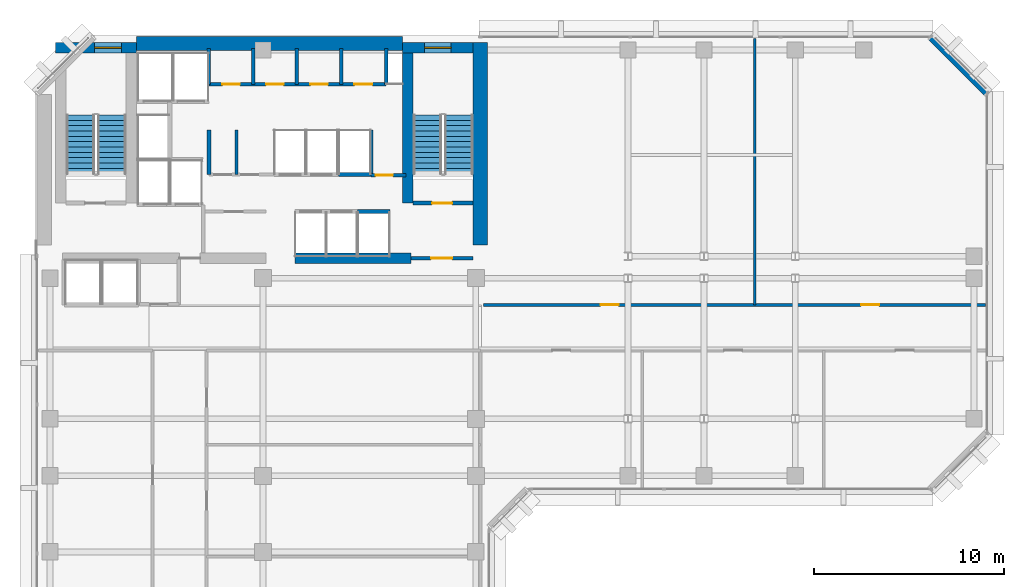
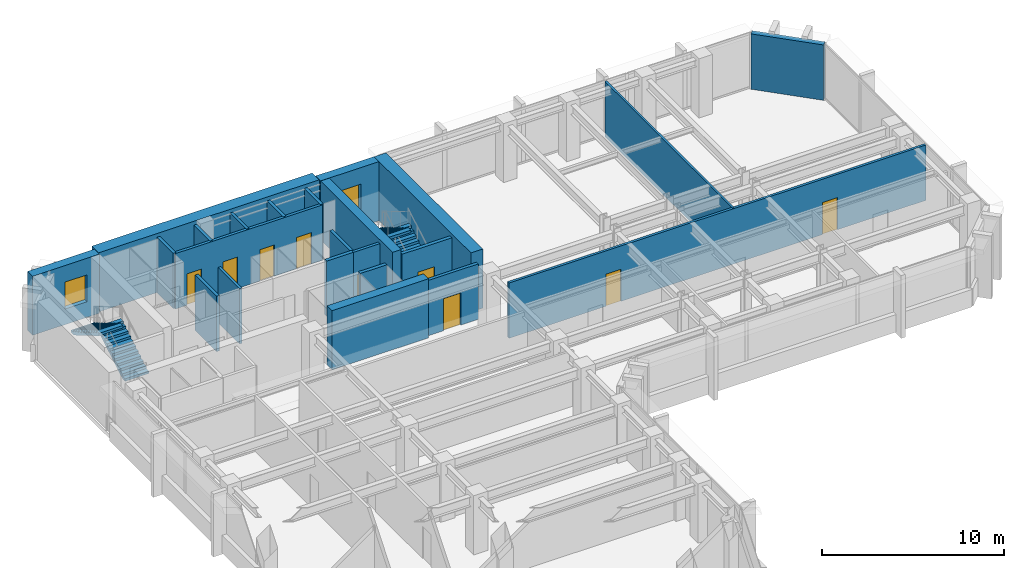
# One storey, part 8 of 11: 23 walls, 9 doors, 4 stair flights, 2 windows, 11 openings, 2 elements without a shape of their own.
"""IFC4 building model written with IfcOpenShell, lengths in metres."""

from ifc_helpers import new_model, si_unit, direction, frame, frame_2d, origin, place, context, subcontext, project, spatial, polyline, rectangle, outline, extrude, material, layer, layer_set, type_object, element, fill, aggregate, save


model = new_model("IFC4")

# Units and contexts
model_context = context("Model", 3, precision=1e-05, world=origin(), true_north=direction((0.0, 1.0)))
body_context = subcontext(model_context, "Body", "Model", "MODEL_VIEW")
ifc_project = project(units=[si_unit("LENGTHUNIT", "METRE"), si_unit("AREAUNIT", "SQUARE_METRE"), si_unit("VOLUMEUNIT", "CUBIC_METRE"), si_unit("PLANEANGLEUNIT", "RADIAN"), si_unit("MASSUNIT", "GRAM", prefix="KILO")], contexts=[model_context])

# Site, building, storey
site_placement = place(None, origin())
site = spatial("IfcSite", under=ifc_project, at=site_placement, CompositionType="ELEMENT")
building_placement = place(site_placement, origin())
building = spatial("IfcBuilding", under=site, at=building_placement, Name="Kefirva Bronze Tower", CompositionType="ELEMENT")
storey_placement = place(building_placement, frame((0.0, 0.0, 150.81005859375)))
storey = spatial("IfcBuildingStorey", under=building, at=storey_placement, Name="L36", CompositionType="ELEMENT", Elevation=150.81005859375)

# Wall
ifc_material_1 = material(Name="Gypsum acoustic partition")
ifc_layer_1 = layer(ifc_material_1, 0.1298828125, Name="Gypsum acoustic partition")
ifc_layer_set_1 = layer_set([ifc_layer_1], Name="Gypsum acoustic partition")
wall_type_1 = type_object("IfcWallType", Name="Acoustic Office Partition 130mm", PredefinedType="PARTITIONING", material=ifc_layer_set_1)
wall_1_placement = place(storey_placement, frame((37.861328125, 31.800048828125, 0.0), z_axis=(0.0, 0.0, 1.0), x_axis=(0.0, 1.0, 0.0)))
element("IfcWall", 1, at=wall_1_placement, inside=storey, type_object=wall_type_1, Name="L36 Partition W-L36-END1", PredefinedType="PARTITIONING", context=body_context, shape_type="SweptSolid", body=[
    extrude(rectangle(XDim=14.010009765625, YDim=0.1298828125, at=frame_2d((7.0048828125, 0.0))), origin(), (0.0, 0.0, 1.0), 3.7099609375),
])

# Wall, opening, door
ifc_material_2 = material(Name="Gypsum fireboard shaftwall")
ifc_layer_2 = layer(ifc_material_2, 0.219970703125, Name="Gypsum fireboard shaftwall")
ifc_layer_set_2 = layer_set([ifc_layer_2], Name="Gypsum fireboard shaftwall")
wall_type_2 = type_object("IfcWallType", Name="Fire-Rated Shaft Enclosure Wall 220mm", PredefinedType="PARTITIONING", material=ifc_layer_set_2)
wall_2_placement = place(storey_placement, frame((19.89990234375, 37.14990234375, 0.0), z_axis=(0.0, 0.0, 1.0), x_axis=(1.0, 0.0, 0.0)))
wall_2 = element("IfcWall", 2, at=wall_2_placement, inside=storey, type_object=wall_type_2, Name="L36 Partition W-L36-ST2S", PredefinedType="PARTITIONING", context=body_context, shape_type="SweptSolid", body=[
    extrude(rectangle(XDim=3.150146484375, YDim=0.219970703125, at=frame_2d((1.5751953125, 0.0))), origin(), (0.0, 0.0, 1.0), 3.7099609375),
])
opening_1_placement = place(wall_2_placement, frame((2.050048828125, 0.0, 0.0), z_axis=(0.0, 0.0, 1.0), x_axis=(-1.0, 0.0, 0.0)))
opening_1 = element("IfcOpeningElement", 3, at=opening_1_placement, cuts=wall_2, Name="Opening L36-D003", PredefinedType="OPENING", context=body_context, shape_type="SweptSolid", body=[
    extrude(rectangle(XDim=1.050048828125, YDim=2.14990234375, at=frame_2d((0.52490234375, 1.074951171875))), frame((0.0, 0.1201171875, 0.0), z_axis=(0.0, -1.0, 0.0), x_axis=(1.0, 0.0, 0.0)), (0.0, 0.0, 1.0), 0.239990234375),
])
ifc_material_3 = material(Name="Painted galvanized steel", Category="steel")
door_type_1 = type_object("IfcDoorType", Name="Fire Stair Enclosure Door 1050x2150 FD90S", OperationType="NOTDEFINED", PredefinedType="DOOR", material=ifc_material_3)
door_1_placement = place(opening_1_placement, origin())
door_1 = element("IfcDoor", 4, at=door_1_placement, inside=storey, type_object=door_type_1, Name="Door L36-D003", OperationType="SINGLE_SWING_RIGHT", OverallHeight=2.14990234375, OverallWidth=1.050048828125, PredefinedType="DOOR", context=body_context, shape_type="SweptSolid", body=[
    extrude(rectangle(XDim=1.050048828125, YDim=2.14990234375, at=frame_2d((0.52490234375, 1.074951171875))), frame((0.0, 0.02490234375, 0.0), z_axis=(0.0, -1.0, 0.0), x_axis=(1.0, 0.0, 0.0)), (0.0, 0.0, 1.0), 0.050048828125),
])
fill(opening_1, door_1)

# Walls
for number, where, z_axis, x_axis, name in (
    (5, (9.159912109375, 38.64990234375, 0.0), (0.0, 0.0, 1.0), (0.0, 1.0, 0.0), "L36 Partition W-L36-LP3W"),
    (6, (17.679931640625, 38.64990234375, 0.0), (0.0, 0.0, 1.0), (0.0, 1.0, 0.0), "L36 Partition W-L36-HP2E"),
):
    element("IfcWall", number, at=place(storey_placement, frame(where, z_axis=z_axis, x_axis=x_axis)), inside=storey, type_object=wall_type_2, Name=name, PredefinedType="PARTITIONING", context=body_context, shape_type="SweptSolid", body=[
        extrude(rectangle(XDim=2.35009765625, YDim=0.199951171875, at=frame_2d((1.175048828125, 0.0))), origin(), (0.0, 0.0, 1.0), 3.7099609375),
    ])
wall_3_placement = place(storey_placement, frame((16.97998046875, 36.699951171875, 0.0), z_axis=(0.0, 0.0, 1.0), x_axis=(1.0, 0.0, 0.0)))
element("IfcWall", 7, at=wall_3_placement, inside=storey, type_object=wall_type_2, Name="L36 Partition W-L36-HPS", PredefinedType="PARTITIONING", context=body_context, shape_type="SweptSolid", body=[
    extrude(rectangle(XDim=1.699951171875, YDim=0.219970703125, at=frame_2d((0.85009765625, 0.0))), origin(), (0.0, 0.0, 1.0), 3.7099609375),
])
wall_4_placement = place(storey_placement, frame((15.97998046875, 38.64990234375, 0.0), z_axis=(0.0, 0.0, 1.0), x_axis=(1.0, 0.0, 0.0)))
element("IfcWall", 8, at=wall_4_placement, inside=storey, type_object=wall_type_2, Name="L36 Partition W-L36-HPN", PredefinedType="PARTITIONING", context=body_context, shape_type="SweptSolid", body=[
    extrude(rectangle(XDim=1.719970703125, YDim=0.219970703125, at=frame_2d((0.85986328125, 0.0))), origin(), (0.0, 0.0, 1.0), 3.7099609375),
])

# Wall, opening, door
ifc_material_4 = material(Name="Gypsum fireboard barrier")
ifc_layer_3 = layer(ifc_material_4, 0.199951171875, Name="Gypsum fireboard barrier")
ifc_layer_set_3 = layer_set([ifc_layer_3], Name="Gypsum fireboard barrier")
wall_type_3 = type_object("IfcWallType", Name="Firefighting Lobby Barrier Wall 200mm", PredefinedType="PARTITIONING", material=ifc_layer_set_3)
wall_5_placement = place(storey_placement, frame((19.800048828125, 34.25, 0.0), z_axis=(0.0, 0.0, 1.0), x_axis=(1.0, 0.0, 0.0)))
wall_5 = element("IfcWall", 9, at=wall_5_placement, inside=storey, type_object=wall_type_3, Name="L36 Partition W-L36-ST2F", PredefinedType="PARTITIONING", context=body_context, shape_type="SweptSolid", body=[
    extrude(rectangle(XDim=3.25, YDim=0.199951171875, at=frame_2d((1.625, 0.0))), origin(), (0.0, 0.0, 1.0), 3.7099609375),
])
opening_2_placement = place(wall_5_placement, frame((2.150146484375, 0.0, 0.0), z_axis=(0.0, 0.0, 1.0), x_axis=(-1.0, 0.0, 0.0)))
opening_2 = element("IfcOpeningElement", 10, at=opening_2_placement, cuts=wall_5, Name="Opening L36-D004", PredefinedType="OPENING", context=body_context, shape_type="SweptSolid", body=[
    extrude(rectangle(XDim=1.10009765625, YDim=2.14990234375, at=frame_2d((0.550048828125, 1.074951171875))), frame((0.0, 0.10986328125, 0.0), z_axis=(0.0, -1.0, 0.0), x_axis=(1.0, 0.0, 0.0)), (0.0, 0.0, 1.0), 0.219970703125),
])
door_type_2 = type_object("IfcDoorType", Name="Firefighting Lobby Smoke Door 1100x2150 FD60S", OperationType="NOTDEFINED", PredefinedType="DOOR", material=ifc_material_3)
door_2_placement = place(opening_2_placement, origin())
door_2 = element("IfcDoor", 11, at=door_2_placement, inside=storey, type_object=door_type_2, Name="Door L36-D004", OperationType="SINGLE_SWING_LEFT", OverallHeight=2.14990234375, OverallWidth=1.10009765625, PredefinedType="DOOR", context=body_context, shape_type="SweptSolid", body=[
    extrude(rectangle(XDim=1.10009765625, YDim=2.14990234375, at=frame_2d((0.550048828125, 1.074951171875))), frame((0.0, 0.02490234375, 0.0), z_axis=(0.0, -1.0, 0.0), x_axis=(1.0, 0.0, 0.0)), (0.0, 0.0, 1.0), 0.050048828125),
])
fill(opening_2, door_2)

wall_6_placement = place(storey_placement, frame((17.679931640625, 38.6201171875, 0.0), z_axis=(0.0, 0.0, 1.0), x_axis=(1.0, 0.0, 0.0)))
wall_6 = element("IfcWall", 12, at=wall_6_placement, inside=storey, type_object=wall_type_3, Name="L36 Partition W-L36-CPASS", PredefinedType="PARTITIONING", context=body_context, shape_type="SweptSolid", body=[
    extrude(rectangle(XDim=1.840087890625, YDim=0.179931640625, at=frame_2d((0.919921875, 0.0))), origin(), (0.0, 0.0, 1.0), 3.7099609375),
])
opening_3_placement = place(wall_6_placement, frame((0.239990234375, 0.0, 0.0)))
opening_3 = element("IfcOpeningElement", 13, at=opening_3_placement, cuts=wall_6, Name="Opening L36-D-CPAS", PredefinedType="OPENING", context=body_context, shape_type="SweptSolid", body=[
    extrude(rectangle(XDim=0.919921875, YDim=2.10009765625, at=frame_2d((0.4599609375, 1.050048828125))), frame((0.0, 0.10009765625, 0.0), z_axis=(0.0, -1.0, 0.0), x_axis=(1.0, 0.0, 0.0)), (0.0, 0.0, 1.0), 0.199951171875),
])
ifc_material_5 = material(Name="Moisture-resistant timber", Category="wood")
door_type_3 = type_object("IfcDoorType", Name="Accessible Sanitary & WC Door 920x2100", OperationType="NOTDEFINED", PredefinedType="DOOR", material=ifc_material_5)
door_3_placement = place(opening_3_placement, origin())
door_3 = element("IfcDoor", 14, at=door_3_placement, inside=storey, type_object=door_type_3, Name="Door L36-D-CPAS", OperationType="SINGLE_SWING_RIGHT", OverallHeight=2.10009765625, OverallWidth=0.919921875, PredefinedType="DOOR", context=body_context, shape_type="SweptSolid", body=[
    extrude(rectangle(XDim=0.919921875, YDim=2.10009765625, at=frame_2d((0.4599609375, 1.050048828125))), frame((0.0, 0.02490234375, 0.0), z_axis=(0.0, -1.0, 0.0), x_axis=(1.0, 0.0, 0.0)), (0.0, 0.0, 1.0), 0.050048828125),
])
fill(opening_3, door_3)

# Walls
ifc_material_6 = material(Name="Precast concrete C40/50", Category="concrete")
ifc_layer_4 = layer(ifc_material_6, 0.320068359375, Name="Precast concrete C40/50")
ifc_layer_set_4 = layer_set([ifc_layer_4], Name="Precast concrete C40/50")
wall_type_4 = type_object("IfcWallType", Name="Precast Insulated Exterior Wall 320mm", PredefinedType="SOLIDWALL", material=ifc_layer_set_4)
wall_7_placement = place(storey_placement, frame((50.048095703125, 42.92578125, 0.0), z_axis=(0.0, 0.0, 1.0), x_axis=(-0.707136318428, 0.707077242712, 0.0)))
element("IfcWall", 15, at=wall_7_placement, inside=storey, type_object=wall_type_4, Name="L36 Exterior Facade Wall 4", PredefinedType="SOLIDWALL", context=body_context, shape_type="SweptSolid", body=[
    extrude(rectangle(XDim=4.132568359375, YDim=0.320068359375, at=frame_2d((2.06640625, 0.0))), origin(), (0.0, 0.0, 1.0), 3.7099609375),
])
ifc_layer_5 = layer(ifc_material_1, 0.159912109375, Name="Gypsum acoustic partition")
ifc_layer_set_5 = layer_set([ifc_layer_5], Name="Gypsum acoustic partition")
wall_type_5 = type_object("IfcWallType", Name="Protected Corridor Partition 160mm", PredefinedType="PARTITIONING", material=ifc_layer_set_5)
wall_8_placement = place(storey_placement, frame((10.60009765625, 38.64990234375, 0.0), z_axis=(0.0, 0.0, 1.0), x_axis=(0.0, 1.0, 0.0)))
element("IfcWall", 16, at=wall_8_placement, inside=storey, type_object=wall_type_5, Name="L36 Partition W-L36-RECLP2D", PredefinedType="PARTITIONING", context=body_context, shape_type="SweptSolid", body=[
    extrude(rectangle(XDim=2.35009765625, YDim=0.159912109375, at=frame_2d((1.175048828125, 0.0))), origin(), (0.0, 0.0, 1.0), 3.7099609375),
])

# Wall, openings, doors
wall_9_placement = place(storey_placement, frame((23.60009765625, 31.800048828125, 0.0), z_axis=(0.0, 0.0, 1.0), x_axis=(1.0, 0.0, 0.0)))
wall_9 = element("IfcWall", 17, at=wall_9_placement, inside=storey, type_object=wall_type_5, Name="L36 Partition W-L36-EWN", PredefinedType="PARTITIONING", context=body_context, shape_type="SweptSolid", body=[
    extrude(rectangle(XDim=26.409912109375, YDim=0.159912109375, at=frame_2d((13.205078125, 0.0))), origin(), (0.0, 0.0, 1.0), 3.7099609375),
])
opening_4_placement = place(wall_9_placement, frame((6.15576171875, 0.0, 0.0)))
opening_4 = element("IfcOpeningElement", 18, at=opening_4_placement, cuts=wall_9, Name="Opening L36-D-EN1", PredefinedType="OPENING", context=body_context, shape_type="SweptSolid", body=[
    extrude(rectangle(XDim=0.949951171875, YDim=2.14990234375, at=frame_2d((0.47509765625, 1.074951171875))), frame((0.0, 0.08984375, 0.0), z_axis=(0.0, -1.0, 0.0), x_axis=(1.0, 0.0, 0.0)), (0.0, 0.0, 1.0), 0.179931640625),
])
opening_5_placement = place(wall_9_placement, frame((19.860595703125, 0.0, 0.0)))
opening_5 = element("IfcOpeningElement", 19, at=opening_5_placement, cuts=wall_9, Name="Opening L36-D-EN2", PredefinedType="OPENING", context=body_context, shape_type="SweptSolid", body=[
    extrude(rectangle(XDim=0.949951171875, YDim=2.14990234375, at=frame_2d((0.47509765625, 1.074951171875))), frame((0.0, 0.08984375, 0.0), z_axis=(0.0, -1.0, 0.0), x_axis=(1.0, 0.0, 0.0)), (0.0, 0.0, 1.0), 0.179931640625),
])
ifc_material_7 = material(Name="Acoustic hardwood oak", Category="wood")
door_type_4 = type_object("IfcDoorType", Name="Office & Meeting Room Door 950x2150", OperationType="NOTDEFINED", PredefinedType="DOOR", material=ifc_material_7)
door_4_placement = place(opening_4_placement, origin())
door_4 = element("IfcDoor", 20, at=door_4_placement, inside=storey, type_object=door_type_4, Name="Door L36-D-EN1", OperationType="SINGLE_SWING_RIGHT", OverallHeight=2.14990234375, OverallWidth=0.949951171875, PredefinedType="DOOR", context=body_context, shape_type="SweptSolid", body=[
    extrude(rectangle(XDim=0.949951171875, YDim=2.14990234375, at=frame_2d((0.47509765625, 1.074951171875))), frame((0.0, 0.02490234375, 0.0), z_axis=(0.0, -1.0, 0.0), x_axis=(1.0, 0.0, 0.0)), (0.0, 0.0, 1.0), 0.050048828125),
])
fill(opening_4, door_4)
door_5_placement = place(opening_5_placement, origin())
door_5 = element("IfcDoor", 21, at=door_5_placement, inside=storey, type_object=door_type_4, Name="Door L36-D-EN2", OperationType="SINGLE_SWING_LEFT", OverallHeight=2.14990234375, OverallWidth=0.949951171875, PredefinedType="DOOR", context=body_context, shape_type="SweptSolid", body=[
    extrude(rectangle(XDim=0.949951171875, YDim=2.14990234375, at=frame_2d((0.47509765625, 1.074951171875))), frame((0.0, 0.02490234375, 0.0), z_axis=(0.0, -1.0, 0.0), x_axis=(1.0, 0.0, 0.0)), (0.0, 0.0, 1.0), 0.050048828125),
])
fill(opening_5, door_5)

# Wall, opening, window
ifc_material_8 = material(Name="Concrete C50/60", Category="concrete")
ifc_layer_6 = layer(ifc_material_8, 0.550048828125, Name="Concrete C50/60")
ifc_layer_set_6 = layer_set([ifc_layer_6], Name="Concrete C50/60")
wall_type_6 = type_object("IfcWallType", Name="RC Rear Core Exterior Wall 550mm", PredefinedType="SHEAR", material=ifc_layer_set_6)
wall_10_placement = place(storey_placement, frame((1.10009765625, 45.320068359375, 0.0), z_axis=(0.0, 0.0, 1.0), x_axis=(1.0, 0.0, 0.0)))
wall_10 = element("IfcWall", 22, at=wall_10_placement, inside=storey, type_object=wall_type_6, Name="L36 Stair 1 North Shear Wall", PredefinedType="SHEAR", context=body_context, shape_type="SweptSolid", body=[
    extrude(rectangle(XDim=4.239990234375, YDim=0.550048828125, at=frame_2d((2.1201171875, 0.0))), origin(), (0.0, 0.0, 1.0), 3.9599609375),
])
opening_6_placement = place(wall_10_placement, frame((2.050048828125, 0.0, 1.050048828125)))
opening_6 = element("IfcOpeningElement", 23, at=opening_6_placement, cuts=wall_10, Name="Opening WN-03", PredefinedType="OPENING", context=body_context, shape_type="SweptSolid", body=[
    extrude(rectangle(XDim=1.39990234375, YDim=1.800048828125, at=frame_2d((0.699951171875, 0.89990234375))), frame((0.0, 0.28515625, 0.0), z_axis=(0.0, -1.0, 0.0), x_axis=(1.0, 0.0, 0.0)), (0.0, 0.0, 1.0), 0.570068359375),
])
ifc_material_9 = material(Name="Laminated low-E double glazing", Category="glass")
window_type = type_object("IfcWindowType", Name="Rear-Core Stair Daylight Window 1400x1800", PartitioningType="SINGLE_PANEL", PredefinedType="WINDOW", material=ifc_material_9)
window_1_placement = place(opening_6_placement, origin())
window_1 = element("IfcWindow", 24, at=window_1_placement, inside=storey, type_object=window_type, Name="L36 Stair 1 Daylight Window", OverallHeight=1.800048828125, OverallWidth=1.39990234375, PartitioningType="SINGLE_PANEL", PredefinedType="WINDOW", context=body_context, shape_type="SweptSolid", body=[
    extrude(rectangle(XDim=1.39990234375, YDim=1.800048828125, at=frame_2d((0.699951171875, 0.89990234375))), frame((0.0, 0.030029296875, 0.0), z_axis=(0.0, -1.0, 0.0), x_axis=(1.0, 0.0, 0.0)), (0.0, 0.0, 1.0), 0.06005859375),
])
fill(opening_6, window_1)

wall_11_placement = place(storey_placement, frame((19.35009765625, 45.320068359375, 0.0), z_axis=(0.0, 0.0, 1.0), x_axis=(1.0, 0.0, 0.0)))
wall_11 = element("IfcWall", 25, at=wall_11_placement, inside=storey, type_object=wall_type_6, Name="L36 Stair 2 North Shear Wall", PredefinedType="SHEAR", context=body_context, shape_type="SweptSolid", body=[
    extrude(rectangle(XDim=3.68994140625, YDim=0.550048828125, at=frame_2d((1.844970703125, 0.0))), origin(), (0.0, 0.0, 1.0), 3.9599609375),
])
opening_7_placement = place(wall_11_placement, frame((1.14990234375, 0.0, 1.050048828125)))
opening_7 = element("IfcOpeningElement", 26, at=opening_7_placement, cuts=wall_11, Name="Opening WN-03", PredefinedType="OPENING", context=body_context, shape_type="SweptSolid", body=[
    extrude(rectangle(XDim=1.39990234375, YDim=1.800048828125, at=frame_2d((0.699951171875, 0.89990234375))), frame((0.0, 0.28515625, 0.0), z_axis=(0.0, -1.0, 0.0), x_axis=(1.0, 0.0, 0.0)), (0.0, 0.0, 1.0), 0.570068359375),
])
window_2_placement = place(opening_7_placement, origin())
window_2 = element("IfcWindow", 27, at=window_2_placement, inside=storey, type_object=window_type, Name="L36 Stair 2 Daylight Window", OverallHeight=1.800048828125, OverallWidth=1.39990234375, PartitioningType="SINGLE_PANEL", PredefinedType="WINDOW", context=body_context, shape_type="SweptSolid", body=[
    extrude(rectangle(XDim=1.39990234375, YDim=1.800048828125, at=frame_2d((0.699951171875, 0.89990234375))), frame((0.0, 0.030029296875, 0.0), z_axis=(0.0, -1.0, 0.0), x_axis=(1.0, 0.0, 0.0)), (0.0, 0.0, 1.0), 0.06005859375),
])
fill(opening_7, window_2)

# Walls
ifc_material_10 = material(Name="Concrete C60/75", Category="concrete")
ifc_layer_7 = layer(ifc_material_10, 0.75, Name="Concrete C60/75")
ifc_layer_set_7 = layer_set([ifc_layer_7], Name="Concrete C60/75")
wall_type_7 = type_object("IfcWallType", Name="RC Rear Core Exterior Wall 750mm", PredefinedType="SHEAR", material=ifc_layer_set_7)
wall_12_placement = place(storey_placement, frame((5.360107421875, 45.550048828125, 0.0), z_axis=(0.0, 0.0, 1.0), x_axis=(1.0, 0.0, 0.0)))
element("IfcWall", 28, at=wall_12_placement, inside=storey, type_object=wall_type_7, Name="L36 Rear Core North Shear Wall", PredefinedType="SHEAR", context=body_context, shape_type="SweptSolid", body=[
    extrude(rectangle(XDim=13.97998046875, YDim=0.75, at=frame_2d((6.989990234375, 0.0))), origin(), (0.0, 0.0, 1.0), 3.9599609375),
])
ifc_layer_8 = layer(ifc_material_8, 0.550048828125, Name="Concrete C50/60")
ifc_layer_set_8 = layer_set([ifc_layer_8], Name="Concrete C50/60")
wall_type_8 = type_object("IfcWallType", Name="RC Rear Core Interior Wall 550mm", PredefinedType="SHEAR", material=ifc_layer_set_8)
wall_13_placement = place(storey_placement, frame((19.6201171875, 37.14990234375, 0.0), z_axis=(0.0, 0.0, 1.0), x_axis=(0.0, 1.0, 0.0)))
element("IfcWall", 29, at=wall_13_placement, inside=storey, type_object=wall_type_8, Name="L36 Stair 2 West Shear Wall", PredefinedType="SHEAR", context=body_context, shape_type="SweptSolid", body=[
    extrude(rectangle(XDim=7.89013671875, YDim=0.550048828125, at=frame_2d((3.945068359375, 0.0))), origin(), (0.0, 0.0, 1.0), 3.9599609375),
])
ifc_layer_9 = layer(ifc_material_10, 0.75, Name="Concrete C60/75")
ifc_layer_set_9 = layer_set([ifc_layer_9], Name="Concrete C60/75")
wall_type_9 = type_object("IfcWallType", Name="RC Rear Core Interior Wall 750mm", PredefinedType="SHEAR", material=ifc_layer_set_9)
wall_14_placement = place(storey_placement, frame((23.425048828125, 34.949951171875, 0.0), z_axis=(0.0, 0.0, 1.0), x_axis=(0.0, 1.0, 0.0)))
element("IfcWall", 30, at=wall_14_placement, inside=storey, type_object=wall_type_9, Name="L36 Rear Core East Shear Wall", PredefinedType="SHEAR", context=body_context, shape_type="SweptSolid", body=[
    extrude(rectangle(XDim=10.64013671875, YDim=0.75, at=frame_2d((5.320068359375, 0.0))), origin(), (0.0, 0.0, 1.0), 3.9599609375),
])
wall_15_placement = place(storey_placement, frame((13.679931640625, 34.25, 0.0), z_axis=(0.0, 0.0, 1.0), x_axis=(1.0, 0.0, 0.0)))
element("IfcWall", 31, at=wall_15_placement, inside=storey, type_object=wall_type_9, Name="L36 Rear Core South-East Shear Wall", PredefinedType="SHEAR", context=body_context, shape_type="SweptSolid", body=[
    extrude(rectangle(XDim=6.1201171875, YDim=0.550048828125, at=frame_2d((3.06005859375, 0.0))), origin(), (0.0, 0.0, 1.0), 3.9599609375),
])

# Wall, openings, doors
ifc_material_11 = material(Name="Moisture-resistant partition")
ifc_layer_10 = layer(ifc_material_11, 0.179931640625, Name="Moisture-resistant partition")
ifc_layer_set_10 = layer_set([ifc_layer_10], Name="Moisture-resistant partition")
wall_type_10 = type_object("IfcWallType", Name="Sanitary Plumbing Chase Wall 180mm", PredefinedType="PLUMBINGWALL", material=ifc_layer_set_10)
wall_16_placement = place(storey_placement, frame((9.14990234375, 43.39990234375, 0.0), z_axis=(0.0, 0.0, 1.0), x_axis=(1.0, 0.0, 0.0)))
wall_16 = element("IfcWall", 32, at=wall_16_placement, inside=storey, type_object=wall_type_10, Name="L36 Partition W-L36-SVCS", PredefinedType="PLUMBINGWALL", context=body_context, shape_type="SweptSolid", body=[
    extrude(rectangle(XDim=9.330078125, YDim=0.179931640625, at=frame_2d((4.6650390625, 0.0))), origin(), (0.0, 0.0, 1.0), 3.7099609375),
])
opening_8_placement = place(wall_16_placement, frame((0.719970703125, 0.0, 0.0)))
opening_8 = element("IfcOpeningElement", 33, at=opening_8_placement, cuts=wall_16, Name="Opening L36-D-CSVC1", PredefinedType="OPENING", context=body_context, shape_type="SweptSolid", body=[
    extrude(rectangle(XDim=0.919921875, YDim=2.10009765625, at=frame_2d((0.4599609375, 1.050048828125))), frame((0.0, 0.10009765625, 0.0), z_axis=(0.0, -1.0, 0.0), x_axis=(1.0, 0.0, 0.0)), (0.0, 0.0, 1.0), 0.199951171875),
])
opening_9_placement = place(wall_16_placement, frame((3.02001953125, 0.0, 0.0)))
opening_9 = element("IfcOpeningElement", 34, at=opening_9_placement, cuts=wall_16, Name="Opening L36-D-CSVC2", PredefinedType="OPENING", context=body_context, shape_type="SweptSolid", body=[
    extrude(rectangle(XDim=0.919921875, YDim=2.10009765625, at=frame_2d((0.4599609375, 1.050048828125))), frame((0.0, 0.10009765625, 0.0), z_axis=(0.0, -1.0, 0.0), x_axis=(1.0, 0.0, 0.0)), (0.0, 0.0, 1.0), 0.199951171875),
])
opening_10_placement = place(wall_16_placement, frame((5.340087890625, 0.0, 0.0)))
opening_10 = element("IfcOpeningElement", 35, at=opening_10_placement, cuts=wall_16, Name="Opening L36-D-CSVC3", PredefinedType="OPENING", context=body_context, shape_type="SweptSolid", body=[
    extrude(rectangle(XDim=0.919921875, YDim=2.10009765625, at=frame_2d((0.4599609375, 1.050048828125))), frame((0.0, 0.10009765625, 0.0), z_axis=(0.0, -1.0, 0.0), x_axis=(1.0, 0.0, 0.0)), (0.0, 0.0, 1.0), 0.199951171875),
])
opening_11_placement = place(wall_16_placement, frame((7.659912109375, 0.0, 0.0)))
opening_11 = element("IfcOpeningElement", 36, at=opening_11_placement, cuts=wall_16, Name="Opening L36-D-CSVC4", PredefinedType="OPENING", context=body_context, shape_type="SweptSolid", body=[
    extrude(rectangle(XDim=0.949951171875, YDim=2.10009765625, at=frame_2d((0.47509765625, 1.050048828125))), frame((0.0, 0.10009765625, 0.0), z_axis=(0.0, -1.0, 0.0), x_axis=(1.0, 0.0, 0.0)), (0.0, 0.0, 1.0), 0.199951171875),
])
door_6_placement = place(opening_8_placement, origin())
door_6 = element("IfcDoor", 37, at=door_6_placement, inside=storey, type_object=door_type_3, Name="Door L36-D-CSVC1", OperationType="SINGLE_SWING_LEFT", OverallHeight=2.10009765625, OverallWidth=0.919921875, PredefinedType="DOOR", context=body_context, shape_type="SweptSolid", body=[
    extrude(rectangle(XDim=0.919921875, YDim=2.10009765625, at=frame_2d((0.4599609375, 1.050048828125))), frame((0.0, 0.02490234375, 0.0), z_axis=(0.0, -1.0, 0.0), x_axis=(1.0, 0.0, 0.0)), (0.0, 0.0, 1.0), 0.050048828125),
])
fill(opening_8, door_6)
door_7_placement = place(opening_9_placement, origin())
door_7 = element("IfcDoor", 38, at=door_7_placement, inside=storey, type_object=door_type_3, Name="Door L36-D-CSVC2", OperationType="SINGLE_SWING_RIGHT", OverallHeight=2.10009765625, OverallWidth=0.919921875, PredefinedType="DOOR", context=body_context, shape_type="SweptSolid", body=[
    extrude(rectangle(XDim=0.919921875, YDim=2.10009765625, at=frame_2d((0.4599609375, 1.050048828125))), frame((0.0, 0.02490234375, 0.0), z_axis=(0.0, -1.0, 0.0), x_axis=(1.0, 0.0, 0.0)), (0.0, 0.0, 1.0), 0.050048828125),
])
fill(opening_9, door_7)
door_8_placement = place(opening_10_placement, origin())
door_8 = element("IfcDoor", 39, at=door_8_placement, inside=storey, type_object=door_type_3, Name="Door L36-D-CSVC3", OperationType="SINGLE_SWING_LEFT", OverallHeight=2.10009765625, OverallWidth=0.919921875, PredefinedType="DOOR", context=body_context, shape_type="SweptSolid", body=[
    extrude(rectangle(XDim=0.919921875, YDim=2.10009765625, at=frame_2d((0.4599609375, 1.050048828125))), frame((0.0, 0.02490234375, 0.0), z_axis=(0.0, -1.0, 0.0), x_axis=(1.0, 0.0, 0.0)), (0.0, 0.0, 1.0), 0.050048828125),
])
fill(opening_10, door_8)
door_type_5 = type_object("IfcDoorType", Name="Riser & Plant Shaft Fire Door 950x2100 FD60S", OperationType="NOTDEFINED", PredefinedType="DOOR", material=ifc_material_3)
door_9_placement = place(opening_11_placement, origin())
door_9 = element("IfcDoor", 40, at=door_9_placement, inside=storey, type_object=door_type_5, Name="Door L36-D-CSVC4", OperationType="SINGLE_SWING_RIGHT", OverallHeight=2.10009765625, OverallWidth=0.949951171875, PredefinedType="DOOR", context=body_context, shape_type="SweptSolid", body=[
    extrude(rectangle(XDim=0.949951171875, YDim=2.10009765625, at=frame_2d((0.47509765625, 1.050048828125))), frame((0.0, 0.02490234375, 0.0), z_axis=(0.0, -1.0, 0.0), x_axis=(1.0, 0.0, 0.0)), (0.0, 0.0, 1.0), 0.050048828125),
])
fill(opening_11, door_9)

# Walls
for number, where, z_axis, x_axis, name in (
    (41, (9.14990234375, 43.39990234375, 0.0), (0.0, 0.0, 1.0), (0.0, 1.0, 0.0), "L36 Partition W-L36-SVCW"),
    (42, (18.47998046875, 43.39990234375, 0.0), (0.0, 0.0, 1.0), (0.0, 1.0, 0.0), "L36 Partition W-L36-SVCE"),
    (43, (11.47998046875, 43.39990234375, 0.0), (0.0, 0.0, 1.0), (0.0, 1.0, 0.0), "L36 Partition W-L36-CSVD-1"),
    (44, (13.780029296875, 43.39990234375, 0.0), (0.0, 0.0, 1.0), (0.0, 1.0, 0.0), "L36 Partition W-L36-CSVD-2"),
    (45, (16.1201171875, 43.39990234375, 0.0), (0.0, 0.0, 1.0), (0.0, 1.0, 0.0), "L36 Partition W-L36-CSVD-3"),
):
    element("IfcWall", number, at=place(storey_placement, frame(where, z_axis=z_axis, x_axis=x_axis)), inside=storey, type_object=wall_type_10, Name=name, PredefinedType="PLUMBINGWALL", context=body_context, shape_type="SweptSolid", body=[
        extrude(rectangle(XDim=1.880126953125, YDim=0.179931640625, at=frame_2d((0.93994140625, 0.0))), origin(), (0.0, 0.0, 1.0), 3.7099609375),
    ])

# Stair, stair flights
ifc_material_12 = material(Name="Concrete C40/50", Category="concrete")
stair_type = type_object("IfcStairType", Name="RC Dogleg Protected Stair 24R", PredefinedType="HALF_TURN_STAIR", material=ifc_material_12)
stair_1_placement = place(storey_placement, origin())
stair_1 = element("IfcStair", 46, at=stair_1_placement, inside=storey, type_object=stair_type, Name="L36 Protected Exit Stair 1", PredefinedType="HALF_TURN_STAIR")
stair_flight_type = type_object("IfcStairFlightType", Name="RC Straight Stair Flight 24R", PredefinedType="STRAIGHT", material=ifc_material_12)
stair_flight_1_placement = place(storey_placement, frame((4.050048828125, 38.699951171875, 0.0), z_axis=(0.0, 0.0, 1.0), x_axis=(0.0, 1.0, 0.0)))
stair_flight_1 = element("IfcStairFlight", 47, at=stair_flight_1_placement, type_object=stair_flight_type, Name="ST-1 flight 1", NumberOfRisers=12, NumberOfTreads=11, PredefinedType="STRAIGHT", RiserHeight=0.165, TreadLength=0.28, context=body_context, shape_type="SweptSolid", body=[
    extrude(outline(polyline([(0.0, 0.0), (0.0, 0.1650390625), (0.280029296875, 0.1650390625), (0.280029296875, 0.330078125), (0.56005859375, 0.330078125), (0.56005859375, 0.4951171875), (0.840087890625, 0.4951171875), (0.840087890625, 0.659912109375), (1.1201171875, 0.659912109375), (1.1201171875, 0.824951171875), (1.39990234375, 0.824951171875), (1.39990234375, 0.989990234375), (1.679931640625, 0.989990234375), (1.679931640625, 1.155029296875), (1.9599609375, 1.155029296875), (1.9599609375, 1.320068359375), (2.239990234375, 1.320068359375), (2.239990234375, 1.485107421875), (2.52001953125, 1.485107421875), (2.52001953125, 1.64990234375), (2.800048828125, 1.64990234375), (2.800048828125, 1.81494140625), (3.080078125, 1.81494140625), (3.080078125, 1.97998046875), (3.080078125, 1.64111328125), (0.295166015625, 0.0), (0.0, 0.0)])), frame((0.0, 0.75, 0.0), z_axis=(0.0, -1.0, 0.0), x_axis=(1.0, 0.0, 0.0)), (0.0, 0.0, 1.0), 1.5),
])
stair_flight_2_placement = place(storey_placement, frame((2.39990234375, 41.780029296875, 1.97998046875), z_axis=(0.0, 0.0, 1.0), x_axis=(0.0, -1.0, 0.0)))
stair_flight_2 = element("IfcStairFlight", 48, at=stair_flight_2_placement, type_object=stair_flight_type, Name="ST-1 flight 2", NumberOfRisers=12, NumberOfTreads=11, PredefinedType="STRAIGHT", RiserHeight=0.165, TreadLength=0.28, context=body_context, shape_type="SweptSolid", body=[
    extrude(outline(polyline([(0.0, 0.0), (0.0, 0.1650390625), (0.280029296875, 0.1650390625), (0.280029296875, 0.330078125), (0.56005859375, 0.330078125), (0.56005859375, 0.4951171875), (0.840087890625, 0.4951171875), (0.840087890625, 0.659912109375), (1.1201171875, 0.659912109375), (1.1201171875, 0.824951171875), (1.39990234375, 0.824951171875), (1.39990234375, 0.989990234375), (1.679931640625, 0.989990234375), (1.679931640625, 1.155029296875), (1.9599609375, 1.155029296875), (1.9599609375, 1.320068359375), (2.239990234375, 1.320068359375), (2.239990234375, 1.485107421875), (2.52001953125, 1.485107421875), (2.52001953125, 1.64990234375), (2.800048828125, 1.64990234375), (2.800048828125, 1.81494140625), (3.080078125, 1.81494140625), (3.080078125, 1.97998046875), (3.080078125, 1.64111328125), (0.295166015625, 0.0), (0.0, 0.0)])), frame((0.0, 0.75, 0.0), z_axis=(0.0, -1.0, 0.0), x_axis=(1.0, 0.0, 0.0)), (0.0, 0.0, 1.0), 1.5),
])
aggregate(stair_1, [stair_flight_1, stair_flight_2])

stair_2_placement = place(storey_placement, origin())
stair_2 = element("IfcStair", 49, at=stair_2_placement, inside=storey, type_object=stair_type, Name="L36 Protected Exit Stair 2", PredefinedType="HALF_TURN_STAIR")
stair_flight_3_placement = place(storey_placement, frame((22.300048828125, 38.699951171875, 0.0), z_axis=(0.0, 0.0, 1.0), x_axis=(0.0, 1.0, 0.0)))
stair_flight_3 = element("IfcStairFlight", 50, at=stair_flight_3_placement, type_object=stair_flight_type, Name="ST-2 flight 1", NumberOfRisers=12, NumberOfTreads=11, PredefinedType="STRAIGHT", RiserHeight=0.165, TreadLength=0.28, context=body_context, shape_type="SweptSolid", body=[
    extrude(outline(polyline([(0.0, 0.0), (0.0, 0.1650390625), (0.280029296875, 0.1650390625), (0.280029296875, 0.330078125), (0.56005859375, 0.330078125), (0.56005859375, 0.4951171875), (0.840087890625, 0.4951171875), (0.840087890625, 0.659912109375), (1.1201171875, 0.659912109375), (1.1201171875, 0.824951171875), (1.39990234375, 0.824951171875), (1.39990234375, 0.989990234375), (1.679931640625, 0.989990234375), (1.679931640625, 1.155029296875), (1.9599609375, 1.155029296875), (1.9599609375, 1.320068359375), (2.239990234375, 1.320068359375), (2.239990234375, 1.485107421875), (2.52001953125, 1.485107421875), (2.52001953125, 1.64990234375), (2.800048828125, 1.64990234375), (2.800048828125, 1.81494140625), (3.080078125, 1.81494140625), (3.080078125, 1.97998046875), (3.080078125, 1.64111328125), (0.295166015625, 0.0), (0.0, 0.0)])), frame((0.0, 0.75, 0.0), z_axis=(0.0, -1.0, 0.0), x_axis=(1.0, 0.0, 0.0)), (0.0, 0.0, 1.0), 1.5),
])
stair_flight_4_placement = place(storey_placement, frame((20.64990234375, 41.780029296875, 1.97998046875), z_axis=(0.0, 0.0, 1.0), x_axis=(0.0, -1.0, 0.0)))
stair_flight_4 = element("IfcStairFlight", 51, at=stair_flight_4_placement, type_object=stair_flight_type, Name="ST-2 flight 2", NumberOfRisers=12, NumberOfTreads=11, PredefinedType="STRAIGHT", RiserHeight=0.165, TreadLength=0.28, context=body_context, shape_type="SweptSolid", body=[
    extrude(outline(polyline([(0.0, 0.0), (0.0, 0.1650390625), (0.280029296875, 0.1650390625), (0.280029296875, 0.330078125), (0.56005859375, 0.330078125), (0.56005859375, 0.4951171875), (0.840087890625, 0.4951171875), (0.840087890625, 0.659912109375), (1.1201171875, 0.659912109375), (1.1201171875, 0.824951171875), (1.39990234375, 0.824951171875), (1.39990234375, 0.989990234375), (1.679931640625, 0.989990234375), (1.679931640625, 1.155029296875), (1.9599609375, 1.155029296875), (1.9599609375, 1.320068359375), (2.239990234375, 1.320068359375), (2.239990234375, 1.485107421875), (2.52001953125, 1.485107421875), (2.52001953125, 1.64990234375), (2.800048828125, 1.64990234375), (2.800048828125, 1.81494140625), (3.080078125, 1.81494140625), (3.080078125, 1.97998046875), (3.080078125, 1.64111328125), (0.295166015625, 0.0), (0.0, 0.0)])), frame((0.0, 0.75, 0.0), z_axis=(0.0, -1.0, 0.0), x_axis=(1.0, 0.0, 0.0)), (0.0, 0.0, 1.0), 1.5),
])
aggregate(stair_2, [stair_flight_3, stair_flight_4])

save(model, "model.ifc")
